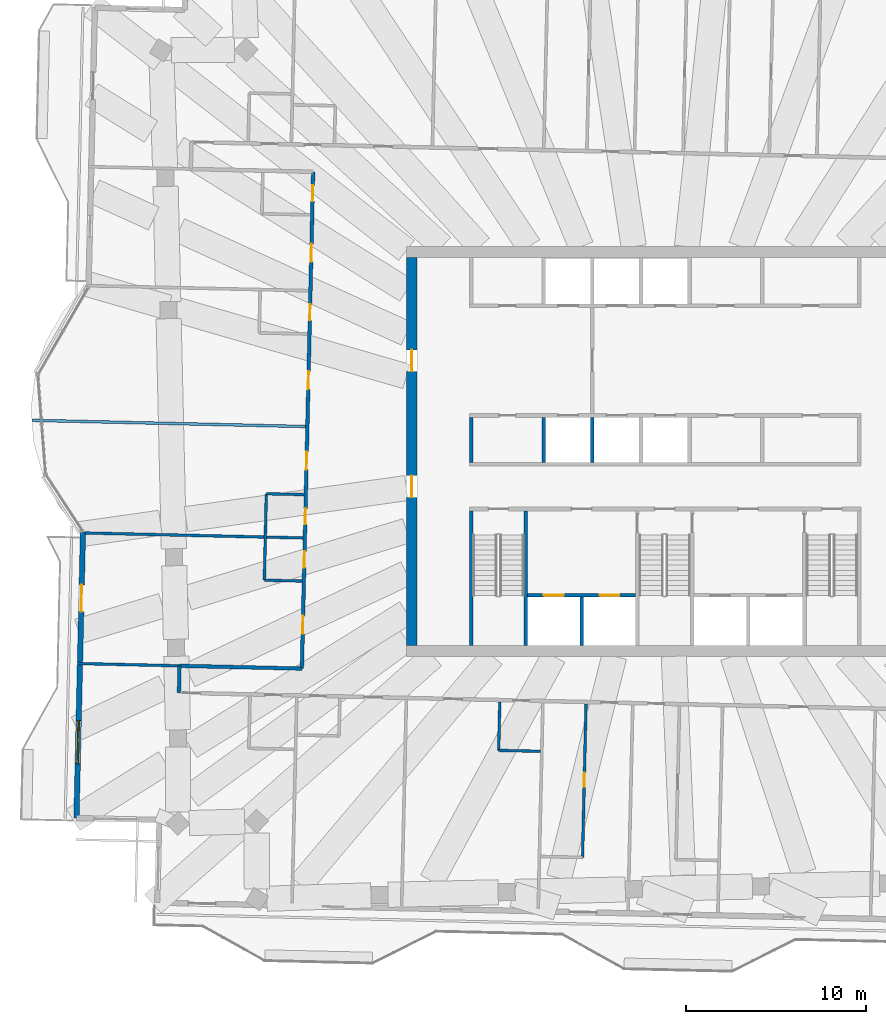
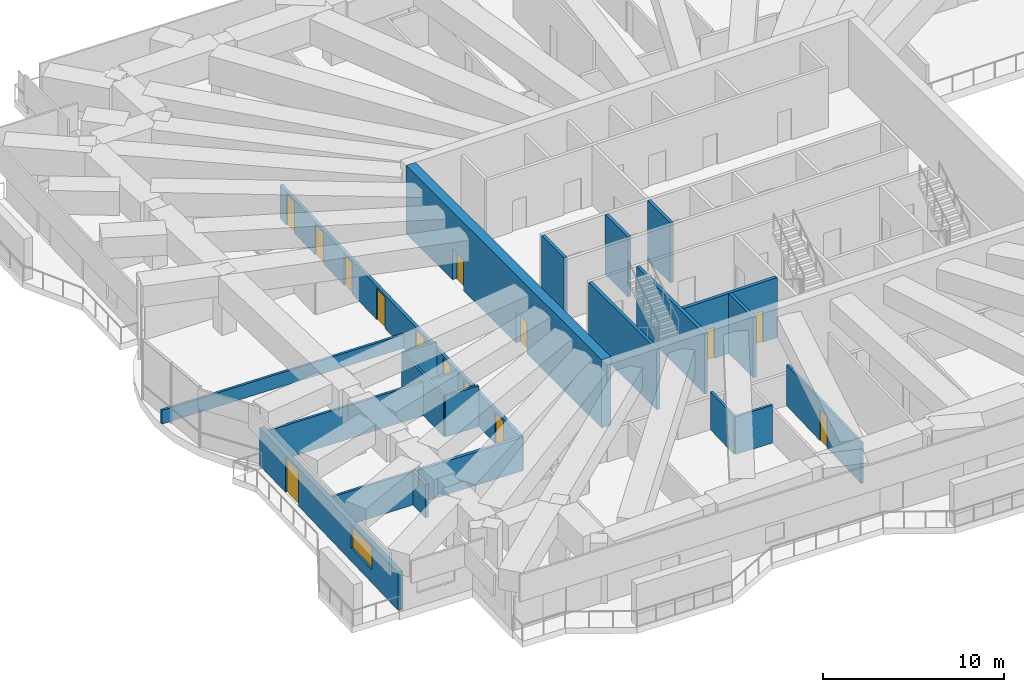
# One storey, part 9 of 20: 21 walls, 14 doors, 1 window, 15 openings.
"""IFC4 building model written with IfcOpenShell, lengths in metres."""

from ifc_helpers import new_model, si_unit, direction, frame, frame_2d, origin, place, context, subcontext, project, spatial, rectangle, extrude, material, layer, layer_set, type_object, element, fill, save


model = new_model("IFC4")

# Units and contexts
model_context = context("Model", 3, precision=1e-05, world=origin(), true_north=direction((0.0, 1.0)))
body_context = subcontext(model_context, "Body", "Model", "MODEL_VIEW")
ifc_project = project(units=[si_unit("LENGTHUNIT", "METRE"), si_unit("AREAUNIT", "SQUARE_METRE"), si_unit("VOLUMEUNIT", "CUBIC_METRE"), si_unit("PLANEANGLEUNIT", "RADIAN"), si_unit("MASSUNIT", "GRAM", prefix="KILO")], contexts=[model_context])

# Site, building, storey
site_placement = place(None, origin())
site = spatial("IfcSite", under=ifc_project, at=site_placement, CompositionType="ELEMENT")
building_placement = place(site_placement, origin())
building = spatial("IfcBuilding", under=site, at=building_placement, Name="Mangrove Gate Tower", CompositionType="ELEMENT")
storey_placement = place(building_placement, frame((0.0, 0.0, 301.5)))
storey = spatial("IfcBuildingStorey", under=building, at=storey_placement, Name="L77", CompositionType="ELEMENT", Elevation=301.5)

# Wall
ifc_material_1 = material(Name="Concrete C32/40", Category="concrete")
ifc_layer_1 = layer(ifc_material_1, 0.199951171875)
ifc_layer_set_1 = layer_set([ifc_layer_1], Name="Core room wall 200 C32/40")
wall_type_1 = type_object("IfcWallType", Name="Core room wall 200 C32/40", PredefinedType="STANDARD", material=ifc_layer_set_1)
wall_1_placement = place(storey_placement, frame((-10.800048828125, -0.60009765625, 0.0), z_axis=(0.0, 0.0, 1.0), x_axis=(0.0, 1.0, 0.0)))
element("IfcWall", 1, at=wall_1_placement, inside=storey, type_object=wall_type_1, Name="WALL-L77-CORE-19", PredefinedType="STANDARD", context=body_context, shape_type="SweptSolid", body=[
    extrude(rectangle(XDim=2.5, YDim=0.199951171875, at=frame_2d((1.25, 0.0))), origin(), (0.0, 0.0, 1.0), 4.050048828125),
])

# Wall, openings, doors
ifc_material_2 = material(Name="Concrete C50/60", Category="concrete")
ifc_layer_2 = layer(ifc_material_2, 0.199951171875)
ifc_layer_set_2 = layer_set([ifc_layer_2], Name="Core shaft wall 200 C50/60")
wall_type_2 = type_object("IfcWallType", Name="Core shaft wall 200 C50/60", PredefinedType="SHEAR", material=ifc_layer_set_2)
wall_2_placement = place(storey_placement, frame((-7.64990234375, -8.0, 0.0), z_axis=(0.0, 0.0, 1.0), x_axis=(1.0, 0.0, 0.0)))
wall_2 = element("IfcWall", 2, at=wall_2_placement, inside=storey, type_object=wall_type_2, Name="WALL-L77-CORE-15", PredefinedType="SHEAR", context=body_context, shape_type="SweptSolid", body=[
    extrude(rectangle(XDim=6.0, YDim=0.199951171875, at=frame_2d((3.0, 0.0))), origin(), (0.0, 0.0, 1.0), 4.050048828125),
])
opening_1_placement = place(wall_2_placement, frame((0.89990234375, 0.0, 0.0)))
opening_1 = element("IfcOpeningElement", 3, at=opening_1_placement, cuts=wall_2, Name="Opening LD", PredefinedType="OPENING", context=body_context, shape_type="SweptSolid", body=[
    extrude(rectangle(XDim=1.10009765625, YDim=2.10009765625, at=frame_2d((0.550048828125, 1.050048828125))), frame((0.0, 0.10986328125, 0.0), z_axis=(0.0, -1.0, 0.0), x_axis=(1.0, 0.0, 0.0)), (0.0, 0.0, 1.0), 0.219970703125),
])
opening_2_placement = place(wall_2_placement, frame((4.0, 0.0, 0.0)))
opening_2 = element("IfcOpeningElement", 4, at=opening_2_placement, cuts=wall_2, Name="Opening LD", PredefinedType="OPENING", context=body_context, shape_type="SweptSolid", body=[
    extrude(rectangle(XDim=1.10009765625, YDim=2.10009765625, at=frame_2d((0.550048828125, 1.050048828125))), frame((0.0, 0.10986328125, 0.0), z_axis=(0.0, -1.0, 0.0), x_axis=(1.0, 0.0, 0.0)), (0.0, 0.0, 1.0), 0.219970703125),
])
ifc_material_3 = material(Name="Stainless steel 316", Category="steel")
door_type_1 = type_object("IfcDoorType", Name="Lift landing door 1100x2100", OperationType="SLIDING_TO_LEFT", PredefinedType="DOOR", material=ifc_material_3)
door_1_placement = place(opening_1_placement, origin())
door_1 = element("IfcDoor", 5, at=door_1_placement, inside=storey, type_object=door_type_1, Name="Landing door LD SVL1", OperationType="SLIDING_TO_LEFT", OverallHeight=2.10009765625, OverallWidth=1.10009765625, PredefinedType="DOOR", context=body_context, shape_type="SweptSolid", body=[
    extrude(rectangle(XDim=1.10009765625, YDim=2.10009765625, at=frame_2d((0.550048828125, 1.050048828125))), frame((0.0, 0.02490234375, 0.0), z_axis=(0.0, -1.0, 0.0), x_axis=(1.0, 0.0, 0.0)), (0.0, 0.0, 1.0), 0.050048828125),
])
fill(opening_1, door_1)
door_2_placement = place(opening_2_placement, origin())
door_2 = element("IfcDoor", 6, at=door_2_placement, inside=storey, type_object=door_type_1, Name="Landing door LD SVL2", OperationType="SLIDING_TO_LEFT", OverallHeight=2.10009765625, OverallWidth=1.10009765625, PredefinedType="DOOR", context=body_context, shape_type="SweptSolid", body=[
    extrude(rectangle(XDim=1.10009765625, YDim=2.10009765625, at=frame_2d((0.550048828125, 1.050048828125))), frame((0.0, 0.02490234375, 0.0), z_axis=(0.0, -1.0, 0.0), x_axis=(1.0, 0.0, 0.0)), (0.0, 0.0, 1.0), 0.050048828125),
])
fill(opening_2, door_2)

# Walls
wall_3_placement = place(storey_placement, frame((-4.64990234375, -10.800048828125, 0.0), z_axis=(0.0, 0.0, 1.0), x_axis=(0.0, 1.0, 0.0)))
element("IfcWall", 7, at=wall_3_placement, inside=storey, type_object=wall_type_2, Name="WALL-L77-CORE-16", PredefinedType="SHEAR", context=body_context, shape_type="SweptSolid", body=[
    extrude(rectangle(XDim=2.699951171875, YDim=0.199951171875, at=frame_2d((1.35009765625, 0.0))), origin(), (0.0, 0.0, 1.0), 4.050048828125),
])
for number, where, z_axis, x_axis, name in (
    (8, (-6.75, -0.60009765625, 0.0), (0.0, 0.0, 1.0), (0.0, 1.0, 0.0), "WALL-L77-CORE-20"),
    (9, (-4.050048828125, -0.60009765625, 0.0), (0.0, 0.0, 1.0), (0.0, 1.0, 0.0), "WALL-L77-CORE-21"),
):
    element("IfcWall", number, at=place(storey_placement, frame(where, z_axis=z_axis, x_axis=x_axis)), inside=storey, type_object=wall_type_2, Name=name, PredefinedType="SHEAR", context=body_context, shape_type="SweptSolid", body=[
        extrude(rectangle(XDim=2.5, YDim=0.199951171875, at=frame_2d((1.25, 0.0))), origin(), (0.0, 0.0, 1.0), 4.050048828125),
    ])
ifc_material_4 = material(Name="Concrete C50/60", Category="concrete")
ifc_layer_3 = layer(ifc_material_4, 0.199951171875)
ifc_layer_set_3 = layer_set([ifc_layer_3], Name="Core stair wall 200 C50/60")
wall_type_3 = type_object("IfcWallType", Name="Core stair wall 200 C50/60", PredefinedType="SHEAR", material=ifc_layer_set_3)
for number, where, z_axis, x_axis, name in (
    (10, (-10.800048828125, -10.800048828125, 0.0), (0.0, 0.0, 1.0), (0.0, 1.0, 0.0), "WALL-L77-CORE-9"),
    (11, (-7.75, -10.800048828125, 0.0), (0.0, 0.0, 1.0), (0.0, 1.0, 0.0), "WALL-L77-CORE-10"),
):
    element("IfcWall", number, at=place(storey_placement, frame(where, z_axis=z_axis, x_axis=x_axis)), inside=storey, type_object=wall_type_3, Name=name, PredefinedType="SHEAR", context=body_context, shape_type="SweptSolid", body=[
        extrude(rectangle(XDim=7.5, YDim=0.199951171875, at=frame_2d((3.75, 0.0))), origin(), (0.0, 0.0, 1.0), 4.050048828125),
    ])

# Wall, openings, doors
ifc_material_5 = material(Name="Concrete C50/60", Category="concrete")
ifc_layer_4 = layer(ifc_material_5, 0.60009765625)
ifc_layer_set_4 = layer_set([ifc_layer_4], Name="Core wall 600 C50/60")
wall_type_4 = type_object("IfcWallType", Name="Core wall 600 C50/60", PredefinedType="SHEAR", material=ifc_layer_set_4)
wall_4_placement = place(storey_placement, frame((-14.10009765625, -10.800048828125, 0.0), z_axis=(0.0, 0.0, 1.0), x_axis=(0.0, 1.0, 0.0)))
wall_4 = element("IfcWall", 12, at=wall_4_placement, inside=storey, type_object=wall_type_4, Name="WALL-L77-CORE-3", PredefinedType="SHEAR", context=body_context, shape_type="SweptSolid", body=[
    extrude(rectangle(XDim=21.60009765625, YDim=0.60009765625, at=frame_2d((10.800048828125, 0.0))), origin(), (0.0, 0.0, 1.0), 4.60009765625),
])
opening_3_placement = place(wall_4_placement, frame((8.25, 0.0, 0.0)))
opening_3 = element("IfcOpeningElement", 13, at=opening_3_placement, cuts=wall_4, Name="Opening CD", PredefinedType="OPENING", context=body_context, shape_type="SweptSolid", body=[
    extrude(rectangle(XDim=1.199951171875, YDim=2.10009765625, at=frame_2d((0.60009765625, 1.050048828125))), frame((0.0, 0.31005859375, 0.0), z_axis=(0.0, -1.0, 0.0), x_axis=(1.0, 0.0, 0.0)), (0.0, 0.0, 1.0), 0.6201171875),
])
opening_4_placement = place(wall_4_placement, frame((15.25, 0.0, 0.0)))
opening_4 = element("IfcOpeningElement", 14, at=opening_4_placement, cuts=wall_4, Name="Opening CD", PredefinedType="OPENING", context=body_context, shape_type="SweptSolid", body=[
    extrude(rectangle(XDim=1.199951171875, YDim=2.10009765625, at=frame_2d((0.60009765625, 1.050048828125))), frame((0.0, 0.31005859375, 0.0), z_axis=(0.0, -1.0, 0.0), x_axis=(1.0, 0.0, 0.0)), (0.0, 0.0, 1.0), 0.6201171875),
])
ifc_material_6 = material(Name="Fire-rated steel door set", Category="steel")
door_type_2 = type_object("IfcDoorType", Name="Core ring door FD60 1200x2100", OperationType="DOUBLE_DOOR_SINGLE_SWING", PredefinedType="DOOR", material=ifc_material_6)
door_3_placement = place(opening_3_placement, origin())
door_3 = element("IfcDoor", 15, at=door_3_placement, inside=storey, type_object=door_type_2, Name="Core ring door W1", OperationType="DOUBLE_DOOR_SINGLE_SWING", OverallHeight=2.10009765625, OverallWidth=1.199951171875, PredefinedType="DOOR", context=body_context, shape_type="SweptSolid", body=[
    extrude(rectangle(XDim=1.199951171875, YDim=2.10009765625, at=frame_2d((0.60009765625, 1.050048828125))), frame((0.0, 0.02490234375, 0.0), z_axis=(0.0, -1.0, 0.0), x_axis=(1.0, 0.0, 0.0)), (0.0, 0.0, 1.0), 0.050048828125),
])
fill(opening_3, door_3)
door_4_placement = place(opening_4_placement, origin())
door_4 = element("IfcDoor", 16, at=door_4_placement, inside=storey, type_object=door_type_2, Name="Core ring door W2", OperationType="DOUBLE_DOOR_SINGLE_SWING", OverallHeight=2.10009765625, OverallWidth=1.199951171875, PredefinedType="DOOR", context=body_context, shape_type="SweptSolid", body=[
    extrude(rectangle(XDim=1.199951171875, YDim=2.10009765625, at=frame_2d((0.60009765625, 1.050048828125))), frame((0.0, 0.02490234375, 0.0), z_axis=(0.0, -1.0, 0.0), x_axis=(1.0, 0.0, 0.0)), (0.0, 0.0, 1.0), 0.050048828125),
])
fill(opening_4, door_4)

# Walls
ifc_material_7 = material(Name="Gypsum board on steel stud, EI 60", Category="steel")
ifc_layer_5 = layer(ifc_material_7, 0.199951171875)
ifc_layer_set_5 = layer_set([ifc_layer_5], Name="Corridor wall EI 60")
wall_type_5 = type_object("IfcWallType", Name="Corridor wall EI 60", PredefinedType="PARTITIONING", material=ifc_layer_set_5)
wall_5_placement = place(storey_placement, frame((-27.05908203125, -13.426025390625, 0.0), z_axis=(0.0, 0.0, 1.0), x_axis=(0.02279537805, 0.999740151609, 0.0)))
element("IfcWall", 17, at=wall_5_placement, inside=storey, type_object=wall_type_5, Name="WALL-L77-020", PredefinedType="PARTITIONING", context=body_context, shape_type="SweptSolid", body=[
    extrude(rectangle(XDim=1.49951171875, YDim=0.199951171875, at=frame_2d((0.749755859375, 0.0))), origin(), (0.0, 0.0, 1.0), 2.25),
])
wall_6_placement = place(storey_placement, frame((-27.02392578125, -11.927001953125, 0.0), z_axis=(0.0, 0.0, 1.0), x_axis=(0.999744070306, -0.022622862054, 0.0)))
element("IfcWall", 18, at=wall_6_placement, inside=storey, type_object=wall_type_5, Name="WALL-L77-024", PredefinedType="PARTITIONING", context=body_context, shape_type="SweptSolid", body=[
    extrude(rectangle(XDim=6.8095703125, YDim=0.199951171875, at=frame_2d((3.40478515625, 0.0))), origin(), (0.0, 0.0, 1.0), 2.25),
])

# Wall, openings, doors
wall_7_placement = place(storey_placement, frame((-20.216064453125, -12.0810546875, 0.0), z_axis=(0.0, 0.0, 1.0), x_axis=(0.02267447203, 0.999742901109, 0.0)))
wall_7 = element("IfcWall", 19, at=wall_7_placement, inside=storey, type_object=wall_type_5, Name="WALL-L77-025", PredefinedType="PARTITIONING", context=body_context, shape_type="SweptSolid", body=[
    extrude(rectangle(XDim=27.650146484375, YDim=0.199951171875, at=frame_2d((13.8251953125, 0.0))), origin(), (0.0, 0.0, 1.0), 2.25),
])
opening_5_placement = place(wall_7_placement, frame((22.637939453125, 0.0, 0.0)))
opening_5 = element("IfcOpeningElement", 20, at=opening_5_placement, cuts=wall_7, Name="Opening AD", PredefinedType="OPENING", context=body_context, shape_type="SweptSolid", body=[
    extrude(rectangle(XDim=1.0, YDim=2.10009765625, at=frame_2d((0.5, 1.050048828125))), frame((0.0, 0.10986328125, 0.0), z_axis=(0.0, -1.0, 0.0), x_axis=(1.0, 0.0, 0.0)), (0.0, 0.0, 1.0), 0.219970703125),
])
opening_6_placement = place(wall_7_placement, frame((26.0, 0.0, 0.0)))
opening_6 = element("IfcOpeningElement", 21, at=opening_6_placement, cuts=wall_7, Name="Opening SD", PredefinedType="OPENING", context=body_context, shape_type="SweptSolid", body=[
    extrude(rectangle(XDim=0.89990234375, YDim=2.10009765625, at=frame_2d((0.449951171875, 1.050048828125))), frame((0.0, 0.10986328125, 0.0), z_axis=(0.0, -1.0, 0.0), x_axis=(1.0, 0.0, 0.0)), (0.0, 0.0, 1.0), 0.219970703125),
])
opening_7_placement = place(wall_7_placement, frame((15.550048828125, 0.0, 0.0)))
opening_7 = element("IfcOpeningElement", 22, at=opening_7_placement, cuts=wall_7, Name="Opening AD", PredefinedType="OPENING", context=body_context, shape_type="SweptSolid", body=[
    extrude(rectangle(XDim=1.0, YDim=2.10009765625, at=frame_2d((0.5, 1.050048828125))), frame((0.0, 0.10986328125, 0.0), z_axis=(0.0, -1.0, 0.0), x_axis=(1.0, 0.0, 0.0)), (0.0, 0.0, 1.0), 0.219970703125),
])
opening_8_placement = place(wall_7_placement, frame((19.375, 0.0, 0.0)))
opening_8 = element("IfcOpeningElement", 23, at=opening_8_placement, cuts=wall_7, Name="Opening SD", PredefinedType="OPENING", context=body_context, shape_type="SweptSolid", body=[
    extrude(rectangle(XDim=0.89990234375, YDim=2.10009765625, at=frame_2d((0.449951171875, 1.050048828125))), frame((0.0, 0.10986328125, 0.0), z_axis=(0.0, -1.0, 0.0), x_axis=(1.0, 0.0, 0.0)), (0.0, 0.0, 1.0), 0.219970703125),
])
opening_9_placement = place(wall_7_placement, frame((11.074951171875, 0.0, 0.0)))
opening_9 = element("IfcOpeningElement", 24, at=opening_9_placement, cuts=wall_7, Name="Opening AD", PredefinedType="OPENING", context=body_context, shape_type="SweptSolid", body=[
    extrude(rectangle(XDim=1.0, YDim=2.10009765625, at=frame_2d((0.5, 1.050048828125))), frame((0.0, 0.10986328125, 0.0), z_axis=(0.0, -1.0, 0.0), x_axis=(1.0, 0.0, 0.0)), (0.0, 0.0, 1.0), 0.219970703125),
])
opening_10_placement = place(wall_7_placement, frame((8.02490234375, 0.0, 0.0)))
opening_10 = element("IfcOpeningElement", 25, at=opening_10_placement, cuts=wall_7, Name="Opening SD", PredefinedType="OPENING", context=body_context, shape_type="SweptSolid", body=[
    extrude(rectangle(XDim=0.89990234375, YDim=2.10009765625, at=frame_2d((0.449951171875, 1.050048828125))), frame((0.0, 0.10986328125, 0.0), z_axis=(0.0, -1.0, 0.0), x_axis=(1.0, 0.0, 0.0)), (0.0, 0.0, 1.0), 0.219970703125),
])
opening_11_placement = place(wall_7_placement, frame((1.93701171875, 0.0, 0.0)))
opening_11 = element("IfcOpeningElement", 26, at=opening_11_placement, cuts=wall_7, Name="Opening AD", PredefinedType="OPENING", context=body_context, shape_type="SweptSolid", body=[
    extrude(rectangle(XDim=1.0, YDim=2.10009765625, at=frame_2d((0.5, 1.050048828125))), frame((0.0, 0.10986328125, 0.0), z_axis=(0.0, -1.0, 0.0), x_axis=(1.0, 0.0, 0.0)), (0.0, 0.0, 1.0), 0.219970703125),
])
opening_12_placement = place(wall_7_placement, frame((5.625, 0.0, 0.0)))
opening_12 = element("IfcOpeningElement", 27, at=opening_12_placement, cuts=wall_7, Name="Opening SD", PredefinedType="OPENING", context=body_context, shape_type="SweptSolid", body=[
    extrude(rectangle(XDim=0.89990234375, YDim=2.10009765625, at=frame_2d((0.449951171875, 1.050048828125))), frame((0.0, 0.10986328125, 0.0), z_axis=(0.0, -1.0, 0.0), x_axis=(1.0, 0.0, 0.0)), (0.0, 0.0, 1.0), 0.219970703125),
])
ifc_material_8 = material(Name="Timber door leaf", Category="wood")
door_type_3 = type_object("IfcDoorType", Name="Amenity door 1000", OperationType="SINGLE_SWING_LEFT", PredefinedType="DOOR", material=ifc_material_8)
door_5_placement = place(opening_5_placement, origin())
door_5 = element("IfcDoor", 28, at=door_5_placement, inside=storey, type_object=door_type_3, Name="DOOR-L77-LNG-c5a", OperationType="SINGLE_SWING_LEFT", OverallHeight=2.10009765625, OverallWidth=1.0, PredefinedType="DOOR", context=body_context, shape_type="SweptSolid", body=[
    extrude(rectangle(XDim=1.0, YDim=2.10009765625, at=frame_2d((0.5, 1.050048828125))), frame((0.0, 0.02490234375, 0.0), z_axis=(0.0, -1.0, 0.0), x_axis=(1.0, 0.0, 0.0)), (0.0, 0.0, 1.0), 0.050048828125),
])
fill(opening_5, door_5)
door_6_placement = place(opening_7_placement, origin())
door_6 = element("IfcDoor", 29, at=door_6_placement, inside=storey, type_object=door_type_3, Name="DOOR-L77-LNG-c5b", OperationType="SINGLE_SWING_RIGHT", OverallHeight=2.10009765625, OverallWidth=1.0, PredefinedType="DOOR", context=body_context, shape_type="SweptSolid", body=[
    extrude(rectangle(XDim=1.0, YDim=2.10009765625, at=frame_2d((0.5, 1.050048828125))), frame((0.0, 0.02490234375, 0.0), z_axis=(0.0, -1.0, 0.0), x_axis=(1.0, 0.0, 0.0)), (0.0, 0.0, 1.0), 0.050048828125),
])
fill(opening_7, door_6)
door_7_placement = place(opening_9_placement, origin())
door_7 = element("IfcDoor", 30, at=door_7_placement, inside=storey, type_object=door_type_3, Name="DOOR-L77-GAM-c5b", OperationType="SINGLE_SWING_LEFT", OverallHeight=2.10009765625, OverallWidth=1.0, PredefinedType="DOOR", context=body_context, shape_type="SweptSolid", body=[
    extrude(rectangle(XDim=1.0, YDim=2.10009765625, at=frame_2d((0.5, 1.050048828125))), frame((0.0, 0.02490234375, 0.0), z_axis=(0.0, -1.0, 0.0), x_axis=(1.0, 0.0, 0.0)), (0.0, 0.0, 1.0), 0.050048828125),
])
fill(opening_9, door_7)
door_8_placement = place(opening_11_placement, origin())
door_8 = element("IfcDoor", 31, at=door_8_placement, inside=storey, type_object=door_type_3, Name="DOOR-L77-LNG-c5c", OperationType="SINGLE_SWING_RIGHT", OverallHeight=2.10009765625, OverallWidth=1.0, PredefinedType="DOOR", context=body_context, shape_type="SweptSolid", body=[
    extrude(rectangle(XDim=1.0, YDim=2.10009765625, at=frame_2d((0.5, 1.050048828125))), frame((0.0, 0.02490234375, 0.0), z_axis=(0.0, -1.0, 0.0), x_axis=(1.0, 0.0, 0.0)), (0.0, 0.0, 1.0), 0.050048828125),
])
fill(opening_11, door_8)
ifc_material_9 = material(Name="Timber door leaf", Category="wood")
door_type_4 = type_object("IfcDoorType", Name="Service room door 900", OperationType="SINGLE_SWING_LEFT", PredefinedType="DOOR", material=ifc_material_9)
door_9_placement = place(opening_6_placement, origin())
door_9 = element("IfcDoor", 32, at=door_9_placement, inside=storey, type_object=door_type_4, Name="DOOR-L77-WC-c5b", OperationType="SINGLE_SWING_RIGHT", OverallHeight=2.10009765625, OverallWidth=0.89990234375, PredefinedType="DOOR", context=body_context, shape_type="SweptSolid", body=[
    extrude(rectangle(XDim=0.89990234375, YDim=2.10009765625, at=frame_2d((0.449951171875, 1.050048828125))), frame((0.0, 0.02490234375, 0.0), z_axis=(0.0, -1.0, 0.0), x_axis=(1.0, 0.0, 0.0)), (0.0, 0.0, 1.0), 0.050048828125),
])
fill(opening_6, door_9)
door_10_placement = place(opening_8_placement, origin())
door_10 = element("IfcDoor", 33, at=door_10_placement, inside=storey, type_object=door_type_4, Name="DOOR-L77-WC-c5c", OperationType="SINGLE_SWING_LEFT", OverallHeight=2.10009765625, OverallWidth=0.89990234375, PredefinedType="DOOR", context=body_context, shape_type="SweptSolid", body=[
    extrude(rectangle(XDim=0.89990234375, YDim=2.10009765625, at=frame_2d((0.449951171875, 1.050048828125))), frame((0.0, 0.02490234375, 0.0), z_axis=(0.0, -1.0, 0.0), x_axis=(1.0, 0.0, 0.0)), (0.0, 0.0, 1.0), 0.050048828125),
])
fill(opening_8, door_10)
door_11_placement = place(opening_10_placement, origin())
door_11 = element("IfcDoor", 34, at=door_11_placement, inside=storey, type_object=door_type_4, Name="DOOR-L77-LIN-c5b", OperationType="SINGLE_SWING_RIGHT", OverallHeight=2.10009765625, OverallWidth=0.89990234375, PredefinedType="DOOR", context=body_context, shape_type="SweptSolid", body=[
    extrude(rectangle(XDim=0.89990234375, YDim=2.10009765625, at=frame_2d((0.449951171875, 1.050048828125))), frame((0.0, 0.02490234375, 0.0), z_axis=(0.0, -1.0, 0.0), x_axis=(1.0, 0.0, 0.0)), (0.0, 0.0, 1.0), 0.050048828125),
])
fill(opening_10, door_11)
door_12_placement = place(opening_12_placement, origin())
door_12 = element("IfcDoor", 35, at=door_12_placement, inside=storey, type_object=door_type_4, Name="DOOR-L77-LIN-c5c", OperationType="SINGLE_SWING_LEFT", OverallHeight=2.10009765625, OverallWidth=0.89990234375, PredefinedType="DOOR", context=body_context, shape_type="SweptSolid", body=[
    extrude(rectangle(XDim=0.89990234375, YDim=2.10009765625, at=frame_2d((0.449951171875, 1.050048828125))), frame((0.0, 0.02490234375, 0.0), z_axis=(0.0, -1.0, 0.0), x_axis=(1.0, 0.0, 0.0)), (0.0, 0.0, 1.0), 0.050048828125),
])
fill(opening_12, door_12)

# Wall, openings, door, window
ifc_material_10 = material(Name="Limestone", Category="masonry")
ifc_layer_6 = layer(ifc_material_10, 0.0400390625, Name="Limestone cladding")
ifc_material_11 = material(Name="Ventilated air gap")
ifc_layer_7 = layer(ifc_material_11, 0.0400390625, Name="Ventilated cavity")
ifc_material_12 = material(Name="Mineral wool insulation")
ifc_layer_8 = layer(ifc_material_12, 0.06005859375, Name="Insulation")
ifc_material_13 = material(Name="Breather membrane")
ifc_layer_9 = layer(ifc_material_13, 0.001953125, Name="Breather membrane")
ifc_material_14 = material(Name="Concrete C20/25 blockwork", Category="masonry")
ifc_layer_10 = layer(ifc_material_14, 0.14990234375, Name="Blockwork backing wall")
ifc_material_15 = material(Name="Gypsum plaster")
ifc_layer_11 = layer(ifc_material_15, 0.008056640625, Name="Internal plaster")
ifc_layer_set_6 = layer_set([ifc_layer_6, ifc_layer_7, ifc_layer_8, ifc_layer_9, ifc_layer_10, ifc_layer_11], Name="External wall 300 limestone cladding")
wall_type_6 = type_object("IfcWallType", Name="External wall 300 limestone cladding", PredefinedType="SOLIDWALL", material=ifc_layer_set_6)
wall_8_placement = place(storey_placement, frame((-32.39697265625, -4.47412109375, 0.0), z_axis=(0.0, 0.0, 1.0), x_axis=(-0.022668485183, -0.999743036875, 0.0)))
wall_8 = element("IfcWall", 36, at=wall_8_placement, inside=storey, type_object=wall_type_6, Name="WALL-L77-W10", PredefinedType="SOLIDWALL", context=body_context, shape_type="SweptSolid", body=[
    extrude(rectangle(XDim=15.928955078125, YDim=0.300048828125, at=frame_2d((7.96435546875, 0.0))), origin(), (0.0, 0.0, 1.0), 2.550048828125),
])
opening_13_placement = place(wall_8_placement, frame((2.94189453125, 0.0, 0.0)))
opening_13 = element("IfcOpeningElement", 37, at=opening_13_placement, cuts=wall_8, Name="Opening BD1", PredefinedType="OPENING", context=body_context, shape_type="SweptSolid", body=[
    extrude(rectangle(XDim=1.5, YDim=2.39990234375, at=frame_2d((0.75, 1.199951171875))), frame((0.0, 0.159912109375, 0.0), z_axis=(0.0, -1.0, 0.0), x_axis=(1.0, 0.0, 0.0)), (0.0, 0.0, 1.0), 0.320068359375),
])
opening_14_placement = place(wall_8_placement, frame((10.50390625, 0.0, 0.89990234375)))
opening_14 = element("IfcOpeningElement", 38, at=opening_14_placement, cuts=wall_8, Name="Opening W2", PredefinedType="OPENING", context=body_context, shape_type="SweptSolid", body=[
    extrude(rectangle(XDim=2.39990234375, YDim=1.5, at=frame_2d((1.199951171875, 0.75))), frame((0.0, 0.159912109375, 0.0), z_axis=(0.0, -1.0, 0.0), x_axis=(1.0, 0.0, 0.0)), (0.0, 0.0, 1.0), 0.320068359375),
])
ifc_material_16 = material(Name="Aluminium frame with laminated clear glass", Category="aluminium")
door_type_5 = type_object("IfcDoorType", Name="Balcony sliding door 1500x2400", OperationType="SLIDING_TO_LEFT", PredefinedType="DOOR", material=ifc_material_16)
door_13_placement = place(opening_13_placement, origin())
door_13 = element("IfcDoor", 39, at=door_13_placement, inside=storey, type_object=door_type_5, Name="DOOR-L77-W10-1", OperationType="SLIDING_TO_LEFT", OverallHeight=2.39990234375, OverallWidth=1.5, PredefinedType="DOOR", context=body_context, shape_type="SweptSolid", body=[
    extrude(rectangle(XDim=1.5, YDim=2.39990234375, at=frame_2d((0.75, 1.199951171875))), frame((0.0, 0.02490234375, 0.0), z_axis=(0.0, -1.0, 0.0), x_axis=(1.0, 0.0, 0.0)), (0.0, 0.0, 1.0), 0.050048828125),
])
fill(opening_13, door_13)
ifc_material_17 = material(Name="Aluminium frame with double-glazed low-e glass", Category="aluminium")
window_type = type_object("IfcWindowType", Name="Corner room window 2400x1500", PartitioningType="DOUBLE_PANEL_VERTICAL", PredefinedType="WINDOW", material=ifc_material_17)
window_placement = place(opening_14_placement, origin())
window = element("IfcWindow", 40, at=window_placement, inside=storey, type_object=window_type, Name="WIN-L77-W10-2", OverallHeight=1.5, OverallWidth=2.39990234375, PartitioningType="DOUBLE_PANEL_VERTICAL", PredefinedType="WINDOW", context=body_context, shape_type="SweptSolid", body=[
    extrude(rectangle(XDim=2.39990234375, YDim=1.5, at=frame_2d((1.199951171875, 0.75))), frame((0.0, 0.030029296875, 0.0), z_axis=(0.0, -1.0, 0.0), x_axis=(1.0, 0.0, 0.0)), (0.0, 0.0, 1.0), 0.06005859375),
])
fill(opening_14, window)

# Wall, opening, door
ifc_material_18 = material(Name="Gypsum board on steel stud, EI 60", Category="steel")
ifc_layer_12 = layer(ifc_material_18, 0.14990234375)
ifc_layer_set_7 = layer_set([ifc_layer_12], Name="Party wall 150 EI 60")
wall_type_7 = type_object("IfcWallType", Name="Party wall 150 EI 60", PredefinedType="PARTITIONING", material=ifc_layer_set_7)
wall_9_placement = place(storey_placement, frame((-4.60107421875, -22.587890625, 0.0), z_axis=(0.0, 0.0, 1.0), x_axis=(0.022700649323, 0.999742307057, 0.0)))
wall_9 = element("IfcWall", 41, at=wall_9_placement, inside=storey, type_object=wall_type_7, Name="WALL-L77-009", PredefinedType="PARTITIONING", context=body_context, shape_type="SweptSolid", body=[
    extrude(rectangle(XDim=8.550048828125, YDim=0.14990234375, at=frame_2d((4.27490234375, 0.0))), origin(), (0.0, 0.0, 1.0), 2.75),
])
opening_15_placement = place(wall_9_placement, frame((3.925048828125, 0.0, 0.0)))
opening_15 = element("IfcOpeningElement", 42, at=opening_15_placement, cuts=wall_9, Name="Opening ED", PredefinedType="OPENING", context=body_context, shape_type="SweptSolid", body=[
    extrude(rectangle(XDim=0.800048828125, YDim=2.10009765625, at=frame_2d((0.39990234375, 1.050048828125))), frame((0.0, 0.0849609375, 0.0), z_axis=(0.0, -1.0, 0.0), x_axis=(1.0, 0.0, 0.0)), (0.0, 0.0, 1.0), 0.169921875),
])
ifc_material_19 = material(Name="Timber door leaf", Category="wood")
door_type_6 = type_object("IfcDoorType", Name="En-suite door 800", OperationType="SINGLE_SWING_LEFT", PredefinedType="DOOR", material=ifc_material_19)
door_14_placement = place(opening_15_placement, origin())
door_14 = element("IfcDoor", 43, at=door_14_placement, inside=storey, type_object=door_type_6, Name="DOOR-L77-ENS-c101", OperationType="SINGLE_SWING_LEFT", OverallHeight=2.10009765625, OverallWidth=0.800048828125, PredefinedType="DOOR", context=body_context, shape_type="SweptSolid", body=[
    extrude(rectangle(XDim=0.800048828125, YDim=2.10009765625, at=frame_2d((0.39990234375, 1.050048828125))), frame((0.0, 0.02490234375, 0.0), z_axis=(0.0, -1.0, 0.0), x_axis=(1.0, 0.0, 0.0)), (0.0, 0.0, 1.0), 0.050048828125),
])
fill(opening_15, door_14)

# Walls
wall_10_placement = place(storey_placement, frame((-9.26708984375, -16.631103515625, 0.0), z_axis=(0.0, 0.0, 1.0), x_axis=(0.99974053329, -0.022778632478, 0.0)))
element("IfcWall", 44, at=wall_10_placement, inside=storey, type_object=wall_type_7, Name="WALL-L77-016", PredefinedType="PARTITIONING", context=body_context, shape_type="SweptSolid", body=[
    extrude(rectangle(XDim=2.32568359375, YDim=0.14990234375, at=frame_2d((1.162841796875, 0.0))), origin(), (0.0, 0.0, 1.0), 2.550048828125),
])
wall_11_placement = place(storey_placement, frame((-9.26708984375, -16.631103515625, 0.0), z_axis=(0.0, 0.0, 1.0), x_axis=(0.02295958807, 0.999736393914, 0.0)))
element("IfcWall", 45, at=wall_11_placement, inside=storey, type_object=wall_type_7, Name="WALL-L77-017", PredefinedType="PARTITIONING", context=body_context, shape_type="SweptSolid", body=[
    extrude(rectangle(XDim=2.700927734375, YDim=0.14990234375, at=frame_2d((1.3505859375, 0.0))), origin(), (0.0, 0.0, 1.0), 2.550048828125),
])
wall_12_placement = place(storey_placement, frame((-32.712890625, -11.798095703125, 0.0), z_axis=(0.0, 0.0, 1.0), x_axis=(0.999743383689, -0.022653184559, 0.0)))
element("IfcWall", 46, at=wall_12_placement, inside=storey, type_object=wall_type_7, Name="WALL-L77-023", PredefinedType="PARTITIONING", context=body_context, shape_type="SweptSolid", body=[
    extrude(rectangle(XDim=5.6904296875, YDim=0.14990234375, at=frame_2d((2.84521484375, 0.0))), origin(), (0.0, 0.0, 1.0), 2.25),
])
wall_13_placement = place(storey_placement, frame((-22.304931640625, -7.1630859375, 0.0), z_axis=(0.0, 0.0, 1.0), x_axis=(0.999750703499, -0.022327804475, 0.0)))
element("IfcWall", 47, at=wall_13_placement, inside=storey, type_object=wall_type_7, Name="WALL-L77-031", PredefinedType="PARTITIONING", context=body_context, shape_type="SweptSolid", body=[
    extrude(rectangle(XDim=2.099365234375, YDim=0.14990234375, at=frame_2d((1.0498046875, 0.0))), origin(), (0.0, 0.0, 1.0), 2.75),
])
wall_14_placement = place(storey_placement, frame((-22.304931640625, -7.157958984375, 0.0), z_axis=(0.0, 0.0, 1.0), x_axis=(0.022683280499, 0.999742701292, 0.0)))
element("IfcWall", 48, at=wall_14_placement, inside=storey, type_object=wall_type_7, Name="WALL-L77-032", PredefinedType="PARTITIONING", context=body_context, shape_type="SweptSolid", body=[
    extrude(rectangle(XDim=4.80029296875, YDim=0.14990234375, at=frame_2d((2.400146484375, 0.0))), origin(), (0.0, 0.0, 1.0), 2.75),
])
wall_15_placement = place(storey_placement, frame((-32.248046875, -4.535888671875, 0.0), z_axis=(0.0, 0.0, 1.0), x_axis=(0.999741439573, -0.022738821441, 0.0)))
element("IfcWall", 49, at=wall_15_placement, inside=storey, type_object=wall_type_7, Name="WALL-L77-033", PredefinedType="PARTITIONING", context=body_context, shape_type="SweptSolid", body=[
    extrude(rectangle(XDim=12.100341796875, YDim=0.14990234375, at=frame_2d((6.05029296875, 0.0))), origin(), (0.0, 0.0, 1.0), 2.25),
])
wall_16_placement = place(storey_placement, frame((-22.196044921875, -2.35400390625, 0.0), z_axis=(0.0, 0.0, 1.0), x_axis=(0.999750761464, -0.022325208909, 0.0)))
element("IfcWall", 50, at=wall_16_placement, inside=storey, type_object=wall_type_7, Name="WALL-L77-034", PredefinedType="PARTITIONING", context=body_context, shape_type="SweptSolid", body=[
    extrude(rectangle(XDim=2.099609375, YDim=0.14990234375, at=frame_2d((1.0498046875, 0.0))), origin(), (0.0, 0.0, 1.0), 2.75),
])
wall_17_placement = place(storey_placement, frame((-35.239013671875, 1.73291015625, 0.0), z_axis=(0.0, 0.0, 1.0), x_axis=(0.999743504341, -0.02264785923, 0.0)))
element("IfcWall", 51, at=wall_17_placement, inside=storey, type_object=wall_type_7, Name="WALL-L77-035", PredefinedType="PARTITIONING", context=body_context, shape_type="SweptSolid", body=[
    extrude(rectangle(XDim=15.23193359375, YDim=0.14990234375, at=frame_2d((7.615966796875, 0.0))), origin(), (0.0, 0.0, 1.0), 0.929931640625),
])

save(model, "model.ifc")
